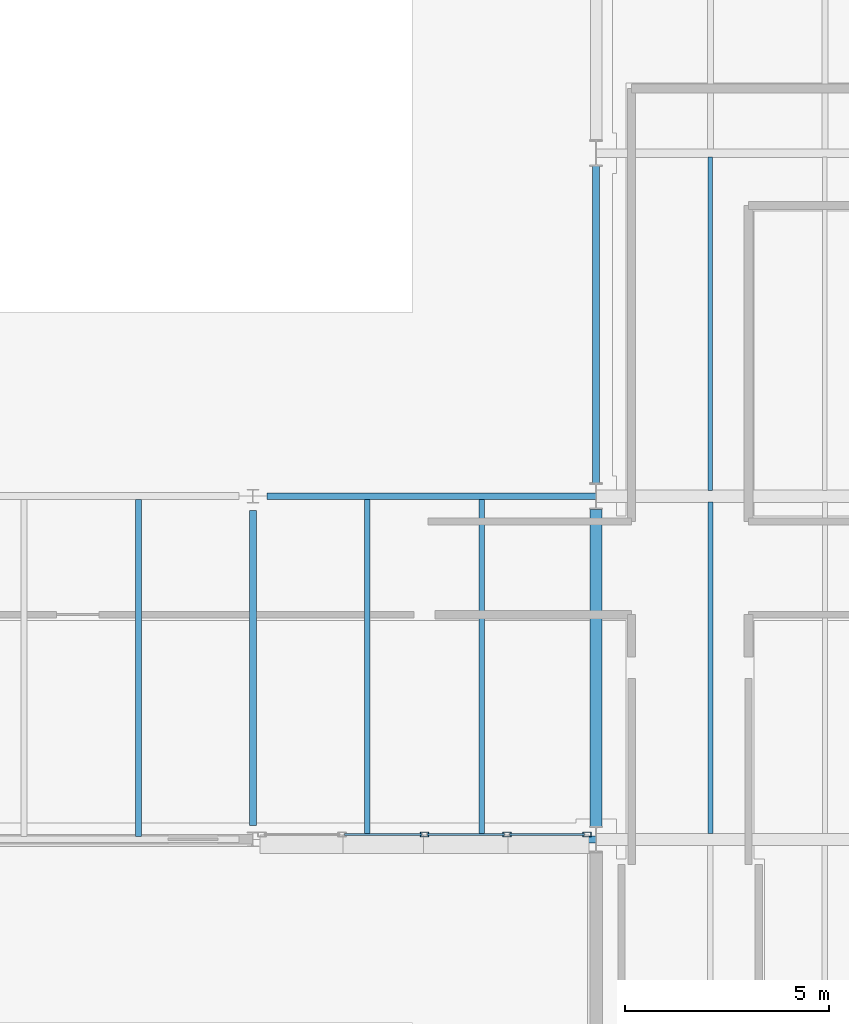
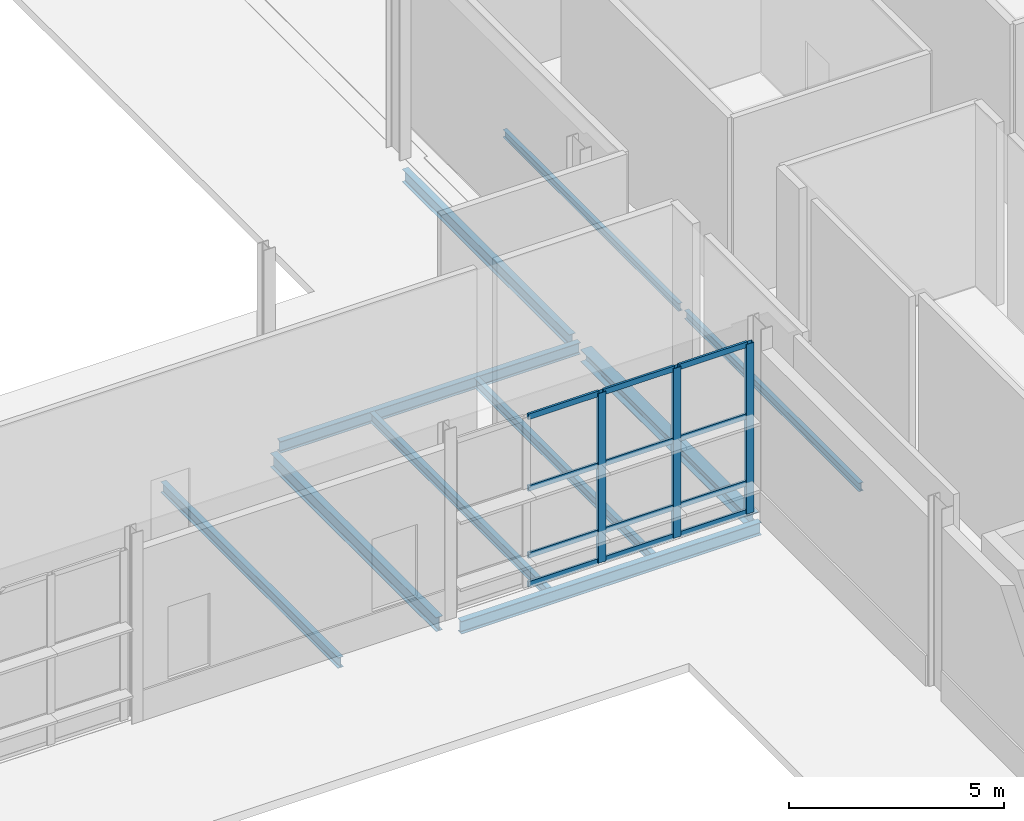
# One storey, part 26 of 124: 15 members, 10 beams, 1 element without a shape of its own.
"""IFC4 building model written with IfcOpenShell, lengths in metres."""

from ifc_helpers import new_model, si_unit, direction, frame, origin, origin_2d, place, context, subcontext, project, spatial, hollow_rectangle, i_section, extrude, material, material_profile, profile_set, type_object, element, aggregate, save


model = new_model("IFC4")

# Units and contexts
model_context = context("Model", 3, precision=1e-05, world=origin(), true_north=direction((0.0, 1.0)))
body_context = subcontext(model_context, "Body", "Model", "MODEL_VIEW")
ifc_project = project(units=[si_unit("LENGTHUNIT", "METRE"), si_unit("AREAUNIT", "SQUARE_METRE"), si_unit("VOLUMEUNIT", "CUBIC_METRE"), si_unit("PLANEANGLEUNIT", "RADIAN"), si_unit("MASSUNIT", "GRAM", prefix="KILO")], contexts=[model_context])

# Site, building, storey
site_placement = place(None, origin())
site = spatial("IfcSite", under=ifc_project, at=site_placement, CompositionType="ELEMENT")
building_placement = place(site_placement, origin())
building = spatial("IfcBuilding", under=site, at=building_placement, Name="Mersafa Astral City Hall", CompositionType="ELEMENT")
storey_placement = place(building_placement, origin())
storey = spatial("IfcBuildingStorey", under=building, at=storey_placement, Name="L00", CompositionType="ELEMENT", Elevation=0.0)

# Curtain wall, members
ifc_material_1 = material(Name="Anodised bronze aluminium framing", Category="aluminium")
curtain_wall_type = type_object("IfcCurtainWallType", Name="ENV-CW-3", PredefinedType="USERDEFINED", material=ifc_material_1)
curtain_wall_placement = place(storey_placement, origin())
curtain_wall = element("IfcCurtainWall", 1, at=curtain_wall_placement, inside=storey, type_object=curtain_wall_type, Name="L00 Unitised solar curtain wall 44", ObjectType="UNITISED CURTAIN WALL", PredefinedType="USERDEFINED")
ifc_material_profile_1 = material_profile(ifc_material_1, hollow_rectangle(XDim=0.1201171875, YDim=0.199951171875, WallThickness=0.008056640625, at=origin_2d()), Name="RHS 120x200x8")
ifc_profile_set_1 = profile_set([ifc_material_profile_1], Name="Anodised bronze aluminium framing")
member_type_1 = type_object("IfcMemberType", Name="ENV-CW-MUL-2", PredefinedType="MULLION", material=ifc_profile_set_1)
member_1_placement = place(storey_placement, frame((88.199951171875, 50.52001953125, -0.001953125), z_axis=(0.0, 0.0, 1.0), x_axis=(0.0, 1.0, 0.0)))
member_1 = element("IfcMember", 2, at=member_1_placement, type_object=member_type_1, Name="CW-3 mullion 3", PredefinedType="MULLION", context=body_context, shape_type="SweptSolid", body=[
    extrude(hollow_rectangle(XDim=0.1201171875, YDim=0.199951171875, WallThickness=0.008056640625, at=origin_2d()), origin(), (0.0, 0.0, 1.0), 4.81396484375),
])
member_2_placement = place(storey_placement, frame((90.218994140625, 50.52001953125, -0.001953125), z_axis=(0.0, 0.0, 1.0), x_axis=(0.0, 1.0, 0.0)))
member_2 = element("IfcMember", 3, at=member_2_placement, type_object=member_type_1, Name="CW-3 mullion 4", PredefinedType="MULLION", context=body_context, shape_type="SweptSolid", body=[
    extrude(hollow_rectangle(XDim=0.1201171875, YDim=0.199951171875, WallThickness=0.008056640625, at=origin_2d()), origin(), (0.0, 0.0, 1.0), 4.81396484375),
])
member_3_placement = place(storey_placement, frame((92.177978515625, 50.52001953125, -0.001953125), z_axis=(0.0, 0.0, 1.0), x_axis=(0.0, 1.0, 0.0)))
member_3 = element("IfcMember", 4, at=member_3_placement, type_object=member_type_1, Name="CW-3 mullion 5", PredefinedType="MULLION", context=body_context, shape_type="SweptSolid", body=[
    extrude(hollow_rectangle(XDim=0.1201171875, YDim=0.199951171875, WallThickness=0.008056640625, at=origin_2d()), origin(), (0.0, 0.0, 1.0), 4.81396484375),
])
ifc_material_profile_2 = material_profile(ifc_material_1, hollow_rectangle(XDim=0.06005859375, YDim=0.159912109375, WallThickness=0.00390625, at=origin_2d()), Name="RHS 60x160x4")
ifc_profile_set_2 = profile_set([ifc_material_profile_2], Name="Anodised bronze aluminium framing")
member_type_2 = type_object("IfcMemberType", Name="ENV-CW-TRN-2", PredefinedType="USERDEFINED", material=ifc_profile_set_2)
member_4_placement = place(storey_placement, frame((86.240966796875, 50.52001953125, 0.028076171875), z_axis=(1.0, 0.0, 0.0), x_axis=(0.0, 1.0, 0.0)))
member_4 = element("IfcMember", 5, at=member_4_placement, type_object=member_type_2, Name="CW-3 transom 2.1", ObjectType="TRANSOM", PredefinedType="USERDEFINED", context=body_context, shape_type="SweptSolid", body=[
    extrude(hollow_rectangle(XDim=0.06005859375, YDim=0.159912109375, WallThickness=0.00390625, at=origin_2d()), origin(), (0.0, 0.0, 1.0), 1.89892578125),
])
member_5_placement = place(storey_placement, frame((86.240966796875, 50.52001953125, 0.85009765625), z_axis=(1.0, 0.0, 0.0), x_axis=(0.0, 1.0, 0.0)))
member_5 = element("IfcMember", 6, at=member_5_placement, type_object=member_type_2, Name="CW-3 transom 2.2", ObjectType="TRANSOM", PredefinedType="USERDEFINED", context=body_context, shape_type="SweptSolid", body=[
    extrude(hollow_rectangle(XDim=0.06005859375, YDim=0.159912109375, WallThickness=0.00390625, at=origin_2d()), origin(), (0.0, 0.0, 1.0), 1.89892578125),
])
member_6_placement = place(storey_placement, frame((86.240966796875, 50.52001953125, 2.75), z_axis=(1.0, 0.0, 0.0), x_axis=(0.0, 1.0, 0.0)))
member_6 = element("IfcMember", 7, at=member_6_placement, type_object=member_type_2, Name="CW-3 transom 2.3", ObjectType="TRANSOM", PredefinedType="USERDEFINED", context=body_context, shape_type="SweptSolid", body=[
    extrude(hollow_rectangle(XDim=0.06005859375, YDim=0.159912109375, WallThickness=0.00390625, at=origin_2d()), origin(), (0.0, 0.0, 1.0), 1.89892578125),
])
member_7_placement = place(storey_placement, frame((86.240966796875, 50.52001953125, 4.781982421875), z_axis=(1.0, 0.0, 0.0), x_axis=(0.0, 1.0, 0.0)))
member_7 = element("IfcMember", 8, at=member_7_placement, type_object=member_type_2, Name="CW-3 transom 2.4", ObjectType="TRANSOM", PredefinedType="USERDEFINED", context=body_context, shape_type="SweptSolid", body=[
    extrude(hollow_rectangle(XDim=0.06005859375, YDim=0.159912109375, WallThickness=0.00390625, at=origin_2d()), origin(), (0.0, 0.0, 1.0), 1.89892578125),
])
member_8_placement = place(storey_placement, frame((88.260009765625, 50.52001953125, 0.028076171875), z_axis=(1.0, 0.0, 0.0), x_axis=(0.0, 1.0, 0.0)))
member_8 = element("IfcMember", 9, at=member_8_placement, type_object=member_type_2, Name="CW-3 transom 3.1", ObjectType="TRANSOM", PredefinedType="USERDEFINED", context=body_context, shape_type="SweptSolid", body=[
    extrude(hollow_rectangle(XDim=0.06005859375, YDim=0.159912109375, WallThickness=0.00390625, at=origin_2d()), origin(), (0.0, 0.0, 1.0), 1.89892578125),
])
member_9_placement = place(storey_placement, frame((88.260009765625, 50.52001953125, 0.85009765625), z_axis=(1.0, 0.0, 0.0), x_axis=(0.0, 1.0, 0.0)))
member_9 = element("IfcMember", 10, at=member_9_placement, type_object=member_type_2, Name="CW-3 transom 3.2", ObjectType="TRANSOM", PredefinedType="USERDEFINED", context=body_context, shape_type="SweptSolid", body=[
    extrude(hollow_rectangle(XDim=0.06005859375, YDim=0.159912109375, WallThickness=0.00390625, at=origin_2d()), origin(), (0.0, 0.0, 1.0), 1.89892578125),
])
member_10_placement = place(storey_placement, frame((88.260009765625, 50.52001953125, 2.75), z_axis=(1.0, 0.0, 0.0), x_axis=(0.0, 1.0, 0.0)))
member_10 = element("IfcMember", 11, at=member_10_placement, type_object=member_type_2, Name="CW-3 transom 3.3", ObjectType="TRANSOM", PredefinedType="USERDEFINED", context=body_context, shape_type="SweptSolid", body=[
    extrude(hollow_rectangle(XDim=0.06005859375, YDim=0.159912109375, WallThickness=0.00390625, at=origin_2d()), origin(), (0.0, 0.0, 1.0), 1.89892578125),
])
member_11_placement = place(storey_placement, frame((88.260009765625, 50.52001953125, 4.781982421875), z_axis=(1.0, 0.0, 0.0), x_axis=(0.0, 1.0, 0.0)))
member_11 = element("IfcMember", 12, at=member_11_placement, type_object=member_type_2, Name="CW-3 transom 3.4", ObjectType="TRANSOM", PredefinedType="USERDEFINED", context=body_context, shape_type="SweptSolid", body=[
    extrude(hollow_rectangle(XDim=0.06005859375, YDim=0.159912109375, WallThickness=0.00390625, at=origin_2d()), origin(), (0.0, 0.0, 1.0), 1.89892578125),
])
member_12_placement = place(storey_placement, frame((90.279052734375, 50.52001953125, 0.028076171875), z_axis=(1.0, 0.0, 0.0), x_axis=(0.0, 1.0, 0.0)))
member_12 = element("IfcMember", 13, at=member_12_placement, type_object=member_type_2, Name="CW-3 transom 4.1", ObjectType="TRANSOM", PredefinedType="USERDEFINED", context=body_context, shape_type="SweptSolid", body=[
    extrude(hollow_rectangle(XDim=0.06005859375, YDim=0.159912109375, WallThickness=0.00390625, at=origin_2d()), origin(), (0.0, 0.0, 1.0), 1.8388671875),
])
member_13_placement = place(storey_placement, frame((90.279052734375, 50.52001953125, 0.85009765625), z_axis=(1.0, 0.0, 0.0), x_axis=(0.0, 1.0, 0.0)))
member_13 = element("IfcMember", 14, at=member_13_placement, type_object=member_type_2, Name="CW-3 transom 4.2", ObjectType="TRANSOM", PredefinedType="USERDEFINED", context=body_context, shape_type="SweptSolid", body=[
    extrude(hollow_rectangle(XDim=0.06005859375, YDim=0.159912109375, WallThickness=0.00390625, at=origin_2d()), origin(), (0.0, 0.0, 1.0), 1.8388671875),
])
member_14_placement = place(storey_placement, frame((90.279052734375, 50.52001953125, 2.75), z_axis=(1.0, 0.0, 0.0), x_axis=(0.0, 1.0, 0.0)))
member_14 = element("IfcMember", 15, at=member_14_placement, type_object=member_type_2, Name="CW-3 transom 4.3", ObjectType="TRANSOM", PredefinedType="USERDEFINED", context=body_context, shape_type="SweptSolid", body=[
    extrude(hollow_rectangle(XDim=0.06005859375, YDim=0.159912109375, WallThickness=0.00390625, at=origin_2d()), origin(), (0.0, 0.0, 1.0), 1.8388671875),
])
member_15_placement = place(storey_placement, frame((90.279052734375, 50.52001953125, 4.781982421875), z_axis=(1.0, 0.0, 0.0), x_axis=(0.0, 1.0, 0.0)))
member_15 = element("IfcMember", 16, at=member_15_placement, type_object=member_type_2, Name="CW-3 transom 4.4", ObjectType="TRANSOM", PredefinedType="USERDEFINED", context=body_context, shape_type="SweptSolid", body=[
    extrude(hollow_rectangle(XDim=0.06005859375, YDim=0.159912109375, WallThickness=0.00390625, at=origin_2d()), origin(), (0.0, 0.0, 1.0), 1.8388671875),
])
aggregate(curtain_wall, [member_1, member_2, member_3, member_4, member_5, member_6, member_7, member_8, member_9, member_10, member_11, member_12, member_13, member_14, member_15])

# Beams
ifc_material_2 = material(Name="Steel S355", Category="steel")
ifc_material_profile_3 = material_profile(ifc_material_2, i_section(OverallWidth=0.300048828125, OverallDepth=0.35009765625, WebThickness=0.010009765625, FlangeThickness=0.017578125, FilletRadius=0.027099609375, at=origin_2d()), Name="HEA 360")
ifc_profile_set_3 = profile_set([ifc_material_profile_3], Name="Steel S355")
beam_type_1 = type_object("IfcBeamType", Name="STR-BM-HEA360", PredefinedType="BEAM", material=ifc_profile_set_3)
beam_1_placement = place(storey_placement, frame((92.39990234375, 50.719970703125, -0.425048828125), z_axis=(0.0, 1.0, 0.0), x_axis=(-1.0, 0.0, 0.0)))
element("IfcBeam", 17, at=beam_1_placement, inside=storey, type_object=beam_type_1, Name="L00 Primary girder Y 11-6", PredefinedType="BEAM", context=body_context, shape_type="SweptSolid", body=[
    extrude(i_section(OverallWidth=0.300048828125, OverallDepth=0.35009765625, WebThickness=0.010009765625, FlangeThickness=0.017578125, FilletRadius=0.027099609375, at=origin_2d()), origin(), (0.0, 0.0, 1.0), 7.760009765625),
])
ifc_material_profile_4 = material_profile(ifc_material_2, i_section(OverallWidth=0.179931640625, OverallDepth=0.39990234375, WebThickness=0.008544921875, FlangeThickness=0.013427734375, FilletRadius=0.02099609375, at=origin_2d()), Name="IPE 400")
ifc_profile_set_4 = profile_set([ifc_material_profile_4], Name="Steel S355")
beam_type_2 = type_object("IfcBeamType", Name="STR-BM-IPE400", PredefinedType="BEAM", material=ifc_profile_set_4)
beam_2_placement = place(storey_placement, frame((84.0, 50.7451171875, -0.449951171875), z_axis=(0.0, 1.0, 0.0), x_axis=(-1.0, 0.0, 0.0)))
element("IfcBeam", 18, at=beam_2_placement, inside=storey, type_object=beam_type_2, Name="L00 Primary girder Y 10-6", PredefinedType="BEAM", context=body_context, shape_type="SweptSolid", body=[
    extrude(i_section(OverallWidth=0.179931640625, OverallDepth=0.39990234375, WebThickness=0.008544921875, FlangeThickness=0.013427734375, FilletRadius=0.02099609375, at=origin_2d()), origin(), (0.0, 0.0, 1.0), 7.7099609375),
])
ifc_material_profile_5 = material_profile(ifc_material_2, i_section(OverallWidth=0.110107421875, OverallDepth=0.219970703125, WebThickness=0.005859375, FlangeThickness=0.00927734375, FilletRadius=0.011962890625, at=origin_2d()), Name="IPE 220")
ifc_profile_set_5 = profile_set([ifc_material_profile_5], Name="Steel S355")
beam_type_3 = type_object("IfcBeamType", Name="STR-BM-JOIST-IPE220", PredefinedType="JOIST", material=ifc_profile_set_5)
beam_3_placement = place(storey_placement, frame((95.199951171875, 58.945068359375, -0.360107421875), z_axis=(0.0, 1.0, 0.0), x_axis=(-1.0, 0.0, 0.0)))
element("IfcBeam", 19, at=beam_3_placement, inside=storey, type_object=beam_type_3, Name="L00 Composite secondary floor joist 68", PredefinedType="JOIST", context=body_context, shape_type="SweptSolid", body=[
    extrude(i_section(OverallWidth=0.110107421875, OverallDepth=0.219970703125, WebThickness=0.005859375, FlangeThickness=0.00927734375, FilletRadius=0.011962890625, at=origin_2d()), origin(), (0.0, 0.0, 1.0), 8.155029296875),
])
ifc_material_profile_6 = material_profile(ifc_material_2, i_section(OverallWidth=0.1201171875, OverallDepth=0.239990234375, WebThickness=0.006103515625, FlangeThickness=0.009765625, FilletRadius=0.014892578125, at=origin_2d()), Name="IPE 240")
ifc_profile_set_6 = profile_set([ifc_material_profile_6], Name="Steel S355")
beam_type_4 = type_object("IfcBeamType", Name="STR-BM-JOIST-IPE240", PredefinedType="JOIST", material=ifc_profile_set_6)
beam_4_placement = place(storey_placement, frame((95.199951171875, 50.544921875, -0.3701171875), z_axis=(0.0, 1.0, 0.0), x_axis=(-1.0, 0.0, 0.0)))
element("IfcBeam", 20, at=beam_4_placement, inside=storey, type_object=beam_type_4, Name="L00 Composite secondary floor joist 66", PredefinedType="JOIST", context=body_context, shape_type="SweptSolid", body=[
    extrude(i_section(OverallWidth=0.1201171875, OverallDepth=0.239990234375, WebThickness=0.006103515625, FlangeThickness=0.009765625, FilletRadius=0.014892578125, at=origin_2d()), origin(), (0.0, 0.0, 1.0), 8.110107421875),
])
ifc_material_profile_7 = material_profile(ifc_material_2, i_section(OverallWidth=0.135009765625, OverallDepth=0.27001953125, WebThickness=0.006591796875, FlangeThickness=0.01025390625, FilletRadius=0.014892578125, at=origin_2d()), Name="IPE 270")
ifc_profile_set_7 = profile_set([ifc_material_profile_7], Name="Steel S355")
beam_type_5 = type_object("IfcBeamType", Name="STR-BM-JOIST-IPE270", PredefinedType="JOIST", material=ifc_profile_set_7)
for number, where, z_axis, x_axis, name in (
    (21, (86.800048828125, 50.47998046875, -0.385009765625), (0.0, 1.0, 0.0), (-1.0, 0.0, 0.0), "L00 Composite secondary floor joist 54"),
    (22, (89.60009765625, 50.47998046875, -0.385009765625), (0.0, 1.0, 0.0), (-1.0, 0.0, 0.0), "L00 Composite secondary floor joist 55"),
):
    element("IfcBeam", number, at=place(storey_placement, frame(where, z_axis=z_axis, x_axis=x_axis)), inside=storey, type_object=beam_type_5, Name=name, PredefinedType="JOIST", context=body_context, shape_type="SweptSolid", body=[
        extrude(i_section(OverallWidth=0.135009765625, OverallDepth=0.27001953125, WebThickness=0.006591796875, FlangeThickness=0.01025390625, FilletRadius=0.014892578125, at=origin_2d()), origin(), (0.0, 0.0, 1.0), 8.2451171875),
    ])
ifc_material_profile_8 = material_profile(ifc_material_2, i_section(OverallWidth=0.14990234375, OverallDepth=0.300048828125, WebThickness=0.007080078125, FlangeThickness=0.0107421875, FilletRadius=0.014892578125, at=origin_2d()), Name="IPE 300")
ifc_profile_set_8 = profile_set([ifc_material_profile_8], Name="Steel S355")
beam_type_6 = type_object("IfcBeamType", Name="STR-BM-JOIST-IPE300", PredefinedType="JOIST", material=ifc_profile_set_8)
beam_5_placement = place(storey_placement, frame((81.199951171875, 50.47509765625, -0.39990234375), z_axis=(0.0, 1.0, 0.0), x_axis=(-1.0, 0.0, 0.0)))
element("IfcBeam", 23, at=beam_5_placement, inside=storey, type_object=beam_type_6, Name="L00 Composite secondary floor joist 49", PredefinedType="JOIST", context=body_context, shape_type="SweptSolid", body=[
    extrude(i_section(OverallWidth=0.14990234375, OverallDepth=0.300048828125, WebThickness=0.007080078125, FlangeThickness=0.0107421875, FilletRadius=0.014892578125, at=origin_2d()), origin(), (0.0, 0.0, 1.0), 8.244873046875),
])
ifc_material_profile_9 = material_profile(ifc_material_2, i_section(OverallWidth=0.159912109375, OverallDepth=0.330078125, WebThickness=0.007568359375, FlangeThickness=0.011474609375, FilletRadius=0.01806640625, at=origin_2d()), Name="IPE 330")
ifc_profile_set_9 = profile_set([ifc_material_profile_9], Name="Steel S355")
beam_type_7 = type_object("IfcBeamType", Name="STR-BM-SPANDREL-IPE330", PredefinedType="SPANDREL", material=ifc_profile_set_9)
beam_6_placement = place(storey_placement, frame((84.344970703125, 58.800048828125, -0.4150390625), z_axis=(1.0, 0.0, 0.0), x_axis=(0.0, 1.0, 0.0)))
element("IfcBeam", 24, at=beam_6_placement, inside=storey, type_object=beam_type_7, Name="L00 Primary girder X 10-7", PredefinedType="SPANDREL", context=body_context, shape_type="SweptSolid", body=[
    extrude(i_section(OverallWidth=0.159912109375, OverallDepth=0.330078125, WebThickness=0.007568359375, FlangeThickness=0.011474609375, FilletRadius=0.01806640625, at=origin_2d()), origin(), (0.0, 0.0, 1.0), 8.052001953125),
])
ifc_material_profile_10 = material_profile(ifc_material_2, i_section(OverallWidth=0.169921875, OverallDepth=0.360107421875, WebThickness=0.008056640625, FlangeThickness=0.0126953125, FilletRadius=0.01806640625, at=origin_2d()), Name="IPE 360")
ifc_profile_set_10 = profile_set([ifc_material_profile_10], Name="Steel S355")
beam_type_8 = type_object("IfcBeamType", Name="STR-BM-SPANDREL-IPE360", PredefinedType="SPANDREL", material=ifc_profile_set_10)
beam_7_placement = place(storey_placement, frame((84.344970703125, 50.39990234375, -0.429931640625), z_axis=(1.0, 0.0, 0.0), x_axis=(0.0, 1.0, 0.0)))
element("IfcBeam", 25, at=beam_7_placement, inside=storey, type_object=beam_type_8, Name="L00 Primary girder X 10-6", PredefinedType="SPANDREL", context=body_context, shape_type="SweptSolid", body=[
    extrude(i_section(OverallWidth=0.169921875, OverallDepth=0.360107421875, WebThickness=0.008056640625, FlangeThickness=0.0126953125, FilletRadius=0.01806640625, at=origin_2d()), origin(), (0.0, 0.0, 1.0), 8.052001953125),
])
beam_8_placement = place(storey_placement, frame((92.39990234375, 59.1201171875, -0.429931640625), z_axis=(0.0, 1.0, 0.0), x_axis=(-1.0, 0.0, 0.0)))
element("IfcBeam", 26, at=beam_8_placement, inside=storey, type_object=beam_type_8, Name="L00 Primary girder Y 11-7", PredefinedType="SPANDREL", context=body_context, shape_type="SweptSolid", body=[
    extrude(i_section(OverallWidth=0.169921875, OverallDepth=0.360107421875, WebThickness=0.008056640625, FlangeThickness=0.0126953125, FilletRadius=0.01806640625, at=origin_2d()), origin(), (0.0, 0.0, 1.0), 7.759765625),
])

save(model, "model.ifc")
